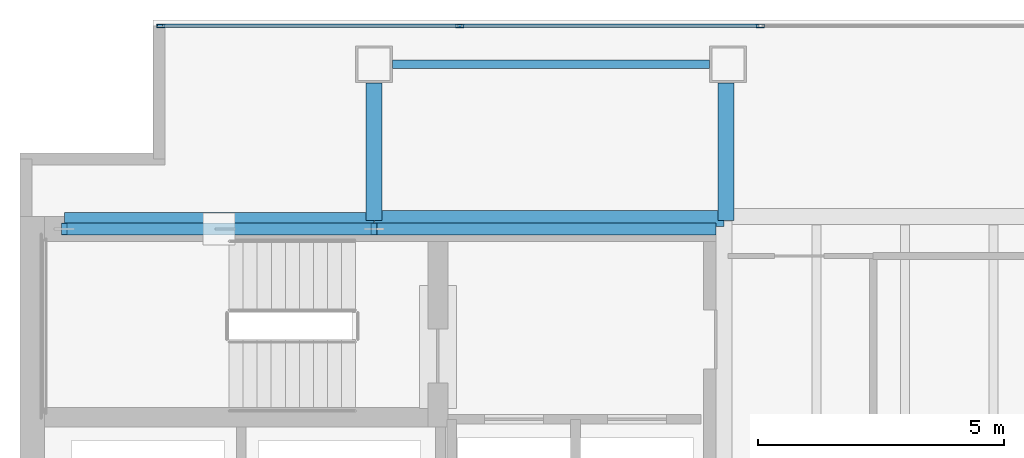
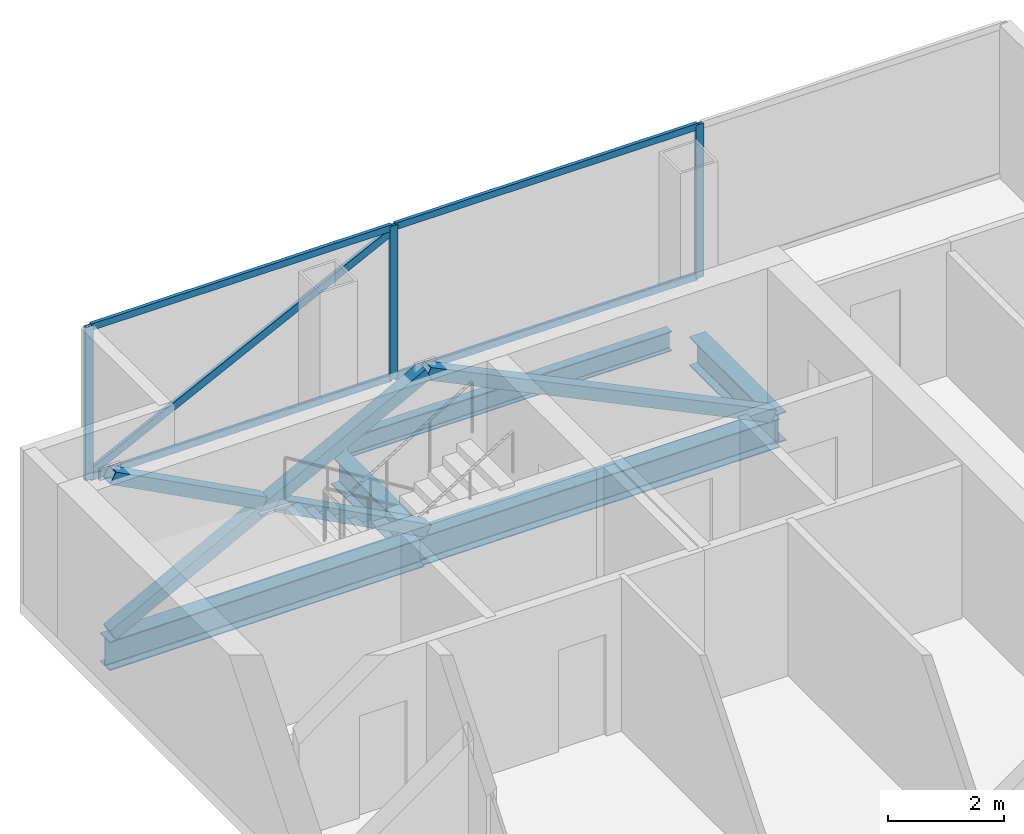
# One storey, part 17 of 23: 12 members, 5 beams, 1 element without a shape of its own.
"""IFC4 building model written with IfcOpenShell, lengths in metres."""

from ifc_helpers import new_model, si_unit, direction, frame, origin, origin_2d, place, context, subcontext, project, spatial, hollow_rectangle, i_section, extrude, material, material_profile, profile_set, type_object, element, aggregate, save


model = new_model("IFC4")

# Units and contexts
model_context = context("Model", 3, precision=1e-05, world=origin(), true_north=direction((0.0, 1.0)))
body_context = subcontext(model_context, "Body", "Model", "MODEL_VIEW")
ifc_project = project(units=[si_unit("LENGTHUNIT", "METRE"), si_unit("AREAUNIT", "SQUARE_METRE"), si_unit("VOLUMEUNIT", "CUBIC_METRE"), si_unit("PLANEANGLEUNIT", "RADIAN"), si_unit("MASSUNIT", "GRAM", prefix="KILO")], contexts=[model_context])

# Site, building, storey
site_placement = place(None, origin())
site = spatial("IfcSite", under=ifc_project, at=site_placement, CompositionType="ELEMENT")
building_placement = place(site_placement, origin())
building = spatial("IfcBuilding", under=site, at=building_placement, Name="Cobrela Telecom Tower", CompositionType="ELEMENT")
storey_placement = place(building_placement, frame((0.0, 0.0, 225.75)))
storey = spatial("IfcBuildingStorey", under=building, at=storey_placement, Name="L58", CompositionType="ELEMENT", Elevation=225.75)

# Beams
ifc_material_1 = material(Name="Steel ASTM A992 Grade 50", Category="steel")
ifc_material_profile_1 = material_profile(ifc_material_1, i_section(OverallWidth=0.324951171875, OverallDepth=0.612060546875, WebThickness=0.0126953125, FlangeThickness=0.01904296875, FilletRadius=0.014892578125, at=origin_2d()), Name="W24X104")
ifc_profile_set_1 = profile_set([ifc_material_profile_1], Name="Steel ASTM A992 Grade 50")
beam_type_1 = type_object("IfcBeamType", Name="BM-GIRD-07", PredefinedType="USERDEFINED", material=ifc_profile_set_1)
beam_1_placement = place(storey_placement, frame((0.905029296875, 35.919921875, -0.56591796875), z_axis=(1.0, 0.0, 0.0), x_axis=(0.0, 1.0, 0.0)))
element("IfcBeam", 1, at=beam_1_placement, inside=storey, type_object=beam_type_1, Name="L58 Primary Girder X20", ObjectType="GIRDER", PredefinedType="USERDEFINED", context=body_context, shape_type="SweptSolid", body=[
    extrude(i_section(OverallWidth=0.324951171875, OverallDepth=0.612060546875, WebThickness=0.0126953125, FlangeThickness=0.01904296875, FilletRadius=0.014892578125, at=origin_2d()), origin(), (0.0, 0.0, 1.0), 6.2900390625),
])
beam_2_placement = place(storey_placement, frame((7.205078125, 35.9599609375, -0.56591796875), z_axis=(1.0, 0.0, 0.0), x_axis=(0.0, 1.0, 0.0)))
element("IfcBeam", 2, at=beam_2_placement, inside=storey, type_object=beam_type_1, Name="L58 Primary Girder X21", ObjectType="GIRDER", PredefinedType="USERDEFINED", context=body_context, shape_type="SweptSolid", body=[
    extrude(i_section(OverallWidth=0.324951171875, OverallDepth=0.612060546875, WebThickness=0.0126953125, FlangeThickness=0.01904296875, FilletRadius=0.014892578125, at=origin_2d()), origin(), (0.0, 0.0, 1.0), 7.10986328125),
])
for number, where, z_axis, x_axis, name in (
    (3, (7.199951171875, 35.925048828125, -0.56591796875), (0.0, 1.0, 0.0), (-1.0, 0.0, 0.0), "L58 Primary Girder Y25"),
    (4, (14.360107421875, 35.925048828125, -0.56591796875), (0.0, 1.0, 0.0), (-1.0, 0.0, 0.0), "L58 Primary Girder Y31"),
):
    element("IfcBeam", number, at=place(storey_placement, frame(where, z_axis=z_axis, x_axis=x_axis)), inside=storey, type_object=beam_type_1, Name=name, ObjectType="GIRDER", PredefinedType="USERDEFINED", context=body_context, shape_type="SweptSolid", body=[
        extrude(i_section(OverallWidth=0.324951171875, OverallDepth=0.612060546875, WebThickness=0.0126953125, FlangeThickness=0.01904296875, FilletRadius=0.014892578125, at=origin_2d()), origin(), (0.0, 0.0, 1.0), 2.794921875),
    ])
ifc_material_profile_2 = material_profile(ifc_material_1, i_section(OverallWidth=0.179931640625, OverallDepth=0.4169921875, WebThickness=0.010986328125, FlangeThickness=0.01806640625, FilletRadius=0.011962890625, at=origin_2d()), Name="W16X57")
ifc_profile_set_2 = profile_set([ifc_material_profile_2], Name="Steel ASTM A992 Grade 50")
beam_type_2 = type_object("IfcBeamType", Name="BM-SPAND-06", PredefinedType="SPANDREL", material=ifc_profile_set_2)
beam_3_placement = place(storey_placement, frame((7.580078125, 39.10009765625, -0.468505859375), z_axis=(1.0, 0.0, 0.0), x_axis=(0.0, 1.0, 0.0)))
element("IfcBeam", 5, at=beam_3_placement, inside=storey, type_object=beam_type_2, Name="L58 Perimeter Spandrel X23", PredefinedType="SPANDREL", context=body_context, shape_type="SweptSolid", body=[
    extrude(i_section(OverallWidth=0.179931640625, OverallDepth=0.4169921875, WebThickness=0.010986328125, FlangeThickness=0.01806640625, FilletRadius=0.011962890625, at=origin_2d()), origin(), (0.0, 0.0, 1.0), 6.43994140625),
])

# Curtain wall, members
ifc_material_2 = material(Name="Anodized Bronze Aluminium 6063-T6", Category="aluminium")
curtain_wall_type = type_object("IfcCurtainWallType", Name="CW-SYS-OFF-LO", PredefinedType="USERDEFINED", material=ifc_material_2)
curtain_wall_placement = place(storey_placement, origin())
curtain_wall = element("IfcCurtainWall", 6, at=curtain_wall_placement, inside=storey, type_object=curtain_wall_type, Name="L58 Unitised Bronze Curtain Wall 07", ObjectType="UNITISED CURTAIN WALL", PredefinedType="USERDEFINED")
ifc_material_profile_3 = material_profile(ifc_material_2, hollow_rectangle(XDim=0.070068359375, YDim=0.159912109375, WallThickness=0.00390625, at=origin_2d()), Name="ALU 70x160x4")
ifc_profile_set_3 = profile_set([ifc_material_profile_3], Name="Anodized Bronze Aluminium 6063-T6")
member_type_1 = type_object("IfcMemberType", Name="CW-SYS-OFF-LO-MUL", PredefinedType="MULLION", material=ifc_profile_set_3)
member_1_placement = place(storey_placement, frame((2.864990234375, 39.8798828125, 0.0), z_axis=(0.0, 0.0, 1.0), x_axis=(0.0, 1.0, 0.0)))
member_1 = element("IfcMember", 7, at=member_1_placement, type_object=member_type_1, Name="CW-OFF-LO mullion 1", PredefinedType="MULLION", context=body_context, shape_type="SweptSolid", body=[
    extrude(hollow_rectangle(XDim=0.070068359375, YDim=0.159912109375, WallThickness=0.00390625, at=origin_2d()), origin(), (0.0, 0.0, 1.0), 3.239990234375),
])
member_2_placement = place(storey_placement, frame((8.943359375, 39.8798828125, 0.0), z_axis=(0.0, 0.0, 1.0), x_axis=(0.0, 1.0, 0.0)))
member_2 = element("IfcMember", 8, at=member_2_placement, type_object=member_type_1, Name="CW-OFF-LO mullion 2", PredefinedType="MULLION", context=body_context, shape_type="SweptSolid", body=[
    extrude(hollow_rectangle(XDim=0.070068359375, YDim=0.159912109375, WallThickness=0.00390625, at=origin_2d()), origin(), (0.0, 0.0, 1.0), 3.239990234375),
])
member_3_placement = place(storey_placement, frame((15.056640625, 39.8798828125, 0.0), z_axis=(0.0, 0.0, 1.0), x_axis=(0.0, 1.0, 0.0)))
member_3 = element("IfcMember", 9, at=member_3_placement, type_object=member_type_1, Name="CW-OFF-LO mullion 3", PredefinedType="MULLION", context=body_context, shape_type="SweptSolid", body=[
    extrude(hollow_rectangle(XDim=0.070068359375, YDim=0.159912109375, WallThickness=0.00390625, at=origin_2d()), origin(), (0.0, 0.0, 1.0), 3.239990234375),
])
member_4_placement = place(storey_placement, frame((2.830078125, 39.8798828125, 0.10009765625), z_axis=(0.895411968569, 0.0, 0.445238595074), x_axis=(0.0, 1.0, 0.0)))
member_4 = element("IfcMember", 10, at=member_4_placement, type_object=member_type_1, Name="L58 Faceted Curtain Wall Diagonal Glazing Mullion", PredefinedType="MULLION", context=body_context, shape_type="SweptSolid", body=[
    extrude(hollow_rectangle(XDim=0.070068359375, YDim=0.159912109375, WallThickness=0.00390625, at=origin_2d()), origin(), (0.0, 0.0, 1.0), 6.827392578125),
])
ifc_material_profile_4 = material_profile(ifc_material_2, hollow_rectangle(XDim=0.070068359375, YDim=0.139892578125, WallThickness=0.00390625, at=origin_2d()), Name="ALU 70x140x4")
ifc_profile_set_4 = profile_set([ifc_material_profile_4], Name="Anodized Bronze Aluminium 6063-T6")
member_type_2 = type_object("IfcMemberType", Name="CW-SYS-OFF-LO-TRN", PredefinedType="USERDEFINED", material=ifc_profile_set_4)
member_5_placement = place(storey_placement, frame((2.89990234375, 39.8798828125, 0.034912109375), z_axis=(1.0, 0.0, 0.0), x_axis=(0.0, 1.0, 0.0)))
member_5 = element("IfcMember", 11, at=member_5_placement, type_object=member_type_2, Name="CW-OFF-LO transom 1.1", ObjectType="TRANSOM", PredefinedType="USERDEFINED", context=body_context, shape_type="SweptSolid", body=[
    extrude(hollow_rectangle(XDim=0.070068359375, YDim=0.139892578125, WallThickness=0.00390625, at=origin_2d()), origin(), (0.0, 0.0, 1.0), 6.008544921875),
])
member_6_placement = place(storey_placement, frame((2.89990234375, 39.8798828125, 3.205078125), z_axis=(1.0, 0.0, 0.0), x_axis=(0.0, 1.0, 0.0)))
member_6 = element("IfcMember", 12, at=member_6_placement, type_object=member_type_2, Name="CW-OFF-LO transom 1.2", ObjectType="TRANSOM", PredefinedType="USERDEFINED", context=body_context, shape_type="SweptSolid", body=[
    extrude(hollow_rectangle(XDim=0.070068359375, YDim=0.139892578125, WallThickness=0.00390625, at=origin_2d()), origin(), (0.0, 0.0, 1.0), 6.008544921875),
])
member_7_placement = place(storey_placement, frame((8.978271484375, 39.8798828125, 0.034912109375), z_axis=(1.0, 0.0, 0.0), x_axis=(0.0, 1.0, 0.0)))
member_7 = element("IfcMember", 13, at=member_7_placement, type_object=member_type_2, Name="CW-OFF-LO transom 2.1", ObjectType="TRANSOM", PredefinedType="USERDEFINED", context=body_context, shape_type="SweptSolid", body=[
    extrude(hollow_rectangle(XDim=0.070068359375, YDim=0.139892578125, WallThickness=0.00390625, at=origin_2d()), origin(), (0.0, 0.0, 1.0), 6.04345703125),
])
member_8_placement = place(storey_placement, frame((8.978271484375, 39.8798828125, 3.205078125), z_axis=(1.0, 0.0, 0.0), x_axis=(0.0, 1.0, 0.0)))
member_8 = element("IfcMember", 14, at=member_8_placement, type_object=member_type_2, Name="CW-OFF-LO transom 2.2", ObjectType="TRANSOM", PredefinedType="USERDEFINED", context=body_context, shape_type="SweptSolid", body=[
    extrude(hollow_rectangle(XDim=0.070068359375, YDim=0.139892578125, WallThickness=0.00390625, at=origin_2d()), origin(), (0.0, 0.0, 1.0), 6.04345703125),
])
aggregate(curtain_wall, [member_1, member_2, member_3, member_5, member_6, member_7, member_8, member_4])

# Members
ifc_material_3 = material(Name="Steel ASTM A572 Grade 50", Category="steel")
ifc_material_profile_5 = material_profile(ifc_material_3, hollow_rectangle(XDim=0.25, YDim=0.25, WallThickness=0.013916015625, at=origin_2d()), Name="HSS 250x250x14")
ifc_profile_set_5 = profile_set([ifc_material_profile_5], Name="Steel ASTM A572 Grade 50")
member_type_3 = type_object("IfcMemberType", Name="MBR-EXO-04", PredefinedType="BRACE", material=ifc_profile_set_5)
member_9_placement = place(storey_placement, frame((0.89990234375, 35.75, -0.0400390625), z_axis=(0.884671945606, 0.0, 0.466214058837), x_axis=(0.0, 1.0, 0.0)))
element("IfcMember", 15, at=member_9_placement, inside=storey, type_object=member_type_3, Name="L58 Core Flange Steel X-Brace Continuous A", PredefinedType="BRACE", context=body_context, shape_type="SweptSolid", body=[
    extrude(hollow_rectangle(XDim=0.25, YDim=0.25, WallThickness=0.013916015625, at=origin_2d()), origin(), (0.0, 0.0, 1.0), 7.121337890625),
])
for number, where, z_axis, x_axis, name in (
    (16, (7.199951171875, 35.75, -0.0400390625), (-0.884673479945, 0.0, 0.466211147317), (0.0, -1.0, 0.0), "L58 Core Flange Steel X-Brace Split B1"),
    (17, (3.926025390625, 35.75, 1.685302734375), (-0.884673479945, 0.0, 0.466211147317), (0.0, -1.0, 0.0), "L58 Core Flange Steel X-Brace Split B2"),
):
    element("IfcMember", number, at=place(storey_placement, frame(where, z_axis=z_axis, x_axis=x_axis)), inside=storey, type_object=member_type_3, Name=name, PredefinedType="BRACE", context=body_context, shape_type="SweptSolid", body=[
        extrude(hollow_rectangle(XDim=0.25, YDim=0.25, WallThickness=0.013916015625, at=origin_2d()), origin(), (0.0, 0.0, 1.0), 3.420654296875),
    ])
member_10_placement = place(storey_placement, frame((14.10009765625, 35.75, -0.0400390625), z_axis=(-0.901115182893, 0.0, 0.43357978177), x_axis=(0.0, -1.0, 0.0)))
element("IfcMember", 18, at=member_10_placement, inside=storey, type_object=member_type_3, Name="L58 Core Flange Steel Brace N2", PredefinedType="BRACE", context=body_context, shape_type="SweptSolid", body=[
    extrude(hollow_rectangle(XDim=0.25, YDim=0.25, WallThickness=0.013916015625, at=origin_2d()), origin(), (0.0, 0.0, 1.0), 7.6572265625),
])

save(model, "model.ifc")
